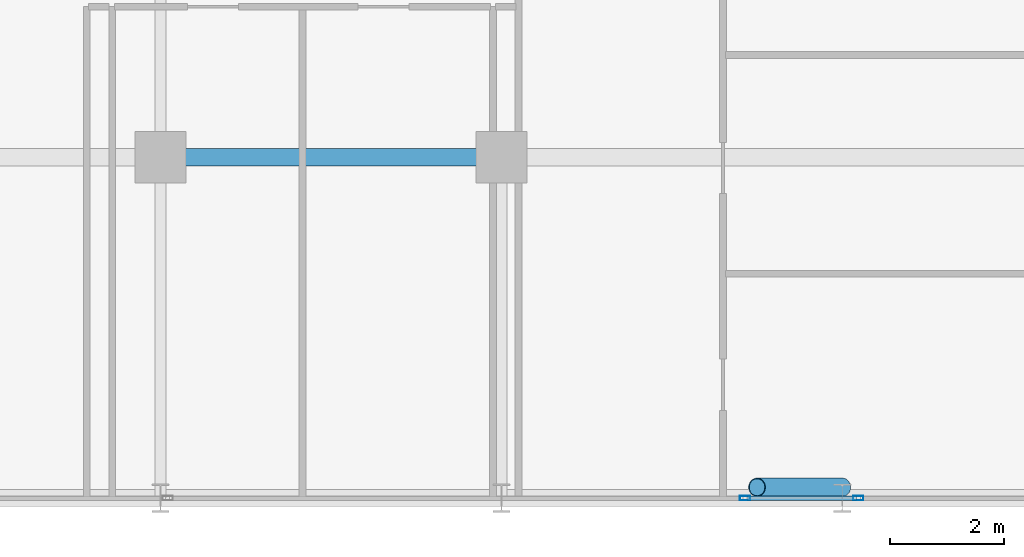
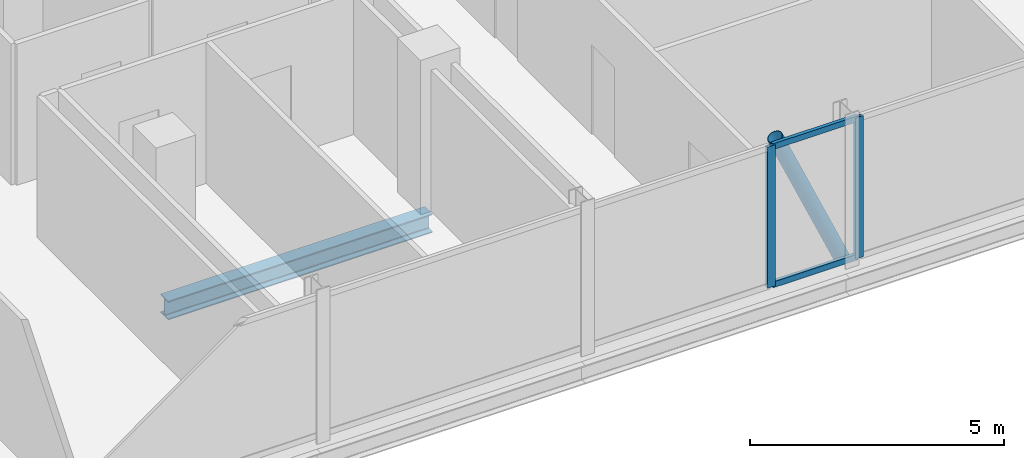
# One storey, part 9 of 31: 5 members, 1 beam, 2 elements without a shape of their own.
"""IFC4 building model written with IfcOpenShell, lengths in metres."""

from ifc_helpers import new_model, si_unit, direction, frame, origin, origin_2d, place, context, subcontext, project, spatial, hollow_rectangle, hollow_circle, i_section, extrude, material, layer, layer_set, material_profile, profile_set, type_object, element, aggregate, save


model = new_model("IFC4")

# Units and contexts
model_context = context("Model", 3, precision=1e-05, world=origin(), true_north=direction((0.0, 1.0)))
body_context = subcontext(model_context, "Body", "Model", "MODEL_VIEW")
ifc_project = project(units=[si_unit("LENGTHUNIT", "METRE"), si_unit("AREAUNIT", "SQUARE_METRE"), si_unit("VOLUMEUNIT", "CUBIC_METRE"), si_unit("PLANEANGLEUNIT", "RADIAN"), si_unit("MASSUNIT", "GRAM", prefix="KILO")], contexts=[model_context])

# Site, building, storey
site_placement = place(None, origin())
site = spatial("IfcSite", under=ifc_project, at=site_placement, CompositionType="ELEMENT")
building_placement = place(site_placement, origin())
building = spatial("IfcBuilding", under=site, at=building_placement, Name="Keshet Zoharim Tower", CompositionType="ELEMENT")
storey_placement = place(building_placement, frame((0.0, 0.0, 129.800048828125)))
storey = spatial("IfcBuildingStorey", under=building, at=storey_placement, Name="L31", CompositionType="ELEMENT", Elevation=129.800048828125)

# Beam
ifc_material_1 = material(Name="Steel S355", Category="steel")
ifc_material_profile_1 = material_profile(ifc_material_1, i_section(OverallWidth=0.300048828125, OverallDepth=0.449951171875, WebThickness=0.013916015625, FlangeThickness=0.02587890625, FilletRadius=0.027099609375, at=origin_2d()), Name="HEB450")
ifc_profile_set_1 = profile_set([ifc_material_profile_1], Name="Steel S355")
beam_type = type_object("IfcBeamType", Name="BM-WEB-HB450", PredefinedType="BEAM", material=ifc_profile_set_1)
beam_placement = place(storey_placement, frame((33.0, 6.699951171875, -0.5400390625), z_axis=(1.0, 0.0, 0.0), x_axis=(0.0, 1.0, 0.0)))
element("IfcBeam", 1, at=beam_placement, inside=storey, type_object=beam_type, Name="L31 Primary Girder X-007", PredefinedType="BEAM", context=body_context, shape_type="SweptSolid", body=[
    extrude(i_section(OverallWidth=0.300048828125, OverallDepth=0.449951171875, WebThickness=0.013916015625, FlangeThickness=0.02587890625, FilletRadius=0.027099609375, at=origin_2d()), origin(), (0.0, 0.0, 1.0), 6.0),
])

# Curtain wall, member
ifc_material_2 = material(Name="Aluminium 6063-T6", Category="aluminium")
ifc_layer = layer(ifc_material_2, 0.159912109375)
ifc_layer_set = layer_set([ifc_layer], Name="Aluminium 6063-T6")
curtain_wall_type = type_object("IfcCurtainWallType", Name="CW-SYS-03", PredefinedType="NOTDEFINED", material=ifc_layer_set)
curtain_wall_1_placement = place(storey_placement, origin())
curtain_wall_1 = element("IfcCurtainWall", 2, at=curtain_wall_1_placement, inside=storey, type_object=curtain_wall_type, Name="L31 Unitised Curtain Wall 03", PredefinedType="NOTDEFINED")
ifc_material_profile_2 = material_profile(ifc_material_2, hollow_rectangle(XDim=0.080078125, YDim=0.179931640625, WallThickness=0.00439453125, at=origin_2d()), Name="MUL-80x180")
ifc_profile_set_2 = profile_set([ifc_material_profile_2], Name="Aluminium 6063-T6")
member_type_1 = type_object("IfcMemberType", Name="CWM-M18", PredefinedType="MULLION", material=ifc_profile_set_2)
member_1_placement = place(storey_placement, frame((45.283203125, 0.699951171875, 0.0), z_axis=(0.0, 0.0, 1.0), x_axis=(0.0, -1.0, 0.0)))
member_1 = element("IfcMember", 3, at=member_1_placement, type_object=member_type_1, Name="CW-03 mullion 2", PredefinedType="MULLION", context=body_context, shape_type="SweptSolid", body=[
    extrude(hollow_rectangle(XDim=0.080078125, YDim=0.179931640625, WallThickness=0.00439453125, at=origin_2d()), origin(), (0.0, 0.0, 1.0), 3.385009765625),
])
aggregate(curtain_wall_1, [member_1])

# Curtain wall, members
curtain_wall_2_placement = place(storey_placement, origin())
curtain_wall_2 = element("IfcCurtainWall", 4, at=curtain_wall_2_placement, inside=storey, type_object=curtain_wall_type, Name="L31 Unitised Curtain Wall 03 Part 2", PredefinedType="NOTDEFINED")
member_2_placement = place(storey_placement, frame((43.286865234375, 0.699951171875, 0.0), z_axis=(0.0, 0.0, 1.0), x_axis=(0.0, -1.0, 0.0)))
member_2 = element("IfcMember", 5, at=member_2_placement, type_object=member_type_1, Name="CW-03 mullion 2", PredefinedType="MULLION", context=body_context, shape_type="SweptSolid", body=[
    extrude(hollow_rectangle(XDim=0.080078125, YDim=0.179931640625, WallThickness=0.00439453125, at=origin_2d()), origin(), (0.0, 0.0, 1.0), 3.385009765625),
])
ifc_material_profile_3 = material_profile(ifc_material_2, hollow_rectangle(XDim=0.080078125, YDim=0.139892578125, WallThickness=0.00390625, at=origin_2d()), Name="TRN-80x140")
ifc_profile_set_3 = profile_set([ifc_material_profile_3], Name="Aluminium 6063-T6")
member_type_2 = type_object("IfcMemberType", Name="CWT-T14", PredefinedType="USERDEFINED", material=ifc_profile_set_3)
member_3_placement = place(storey_placement, frame((45.248046875, 0.699951171875, 0.034912109375), z_axis=(-1.0, 0.0, 0.0), x_axis=(0.0, -1.0, 0.0)))
member_3 = element("IfcMember", 6, at=member_3_placement, type_object=member_type_2, Name="CW-03 transom 1.1", ObjectType="TRANSOM", PredefinedType="USERDEFINED", context=body_context, shape_type="SweptSolid", body=[
    extrude(hollow_rectangle(XDim=0.080078125, YDim=0.139892578125, WallThickness=0.00390625, at=origin_2d()), origin(), (0.0, 0.0, 1.0), 1.926025390625),
])
member_4_placement = place(storey_placement, frame((45.248046875, 0.699951171875, 3.349853515625), z_axis=(-1.0, 0.0, 0.0), x_axis=(0.0, -1.0, 0.0)))
member_4 = element("IfcMember", 7, at=member_4_placement, type_object=member_type_2, Name="CW-03 transom 1.2", ObjectType="TRANSOM", PredefinedType="USERDEFINED", context=body_context, shape_type="SweptSolid", body=[
    extrude(hollow_rectangle(XDim=0.080078125, YDim=0.139892578125, WallThickness=0.00390625, at=origin_2d()), origin(), (0.0, 0.0, 1.0), 1.926025390625),
])
aggregate(curtain_wall_2, [member_2, member_3, member_4])

# Member
ifc_material_profile_4 = material_profile(ifc_material_1, hollow_circle(Radius=0.161865234375, WallThickness=0.012451171875, at=origin_2d()), Name="CHS323x12.5")
ifc_profile_set_4 = profile_set([ifc_material_profile_4], Name="Steel S355")
member_type_3 = type_object("IfcMemberType", Name="MB-BR-C323", PredefinedType="BRACE", material=ifc_profile_set_4)
member_5_placement = place(storey_placement, frame((45.0, 0.889892578125, 0.0), z_axis=(-0.405134846829, 0.0, 0.91425694194), x_axis=(0.0, -1.0, 0.0)))
element("IfcMember", 8, at=member_5_placement, inside=storey, type_object=member_type_3, Name="L31 Perimeter Tube Brace 04", PredefinedType="BRACE", context=body_context, shape_type="SweptSolid", body=[
    extrude(hollow_circle(Radius=0.161865234375, WallThickness=0.012451171875, at=origin_2d()), origin(), (0.0, 0.0, 1.0), 3.702392578125),
])

save(model, "model.ifc")
